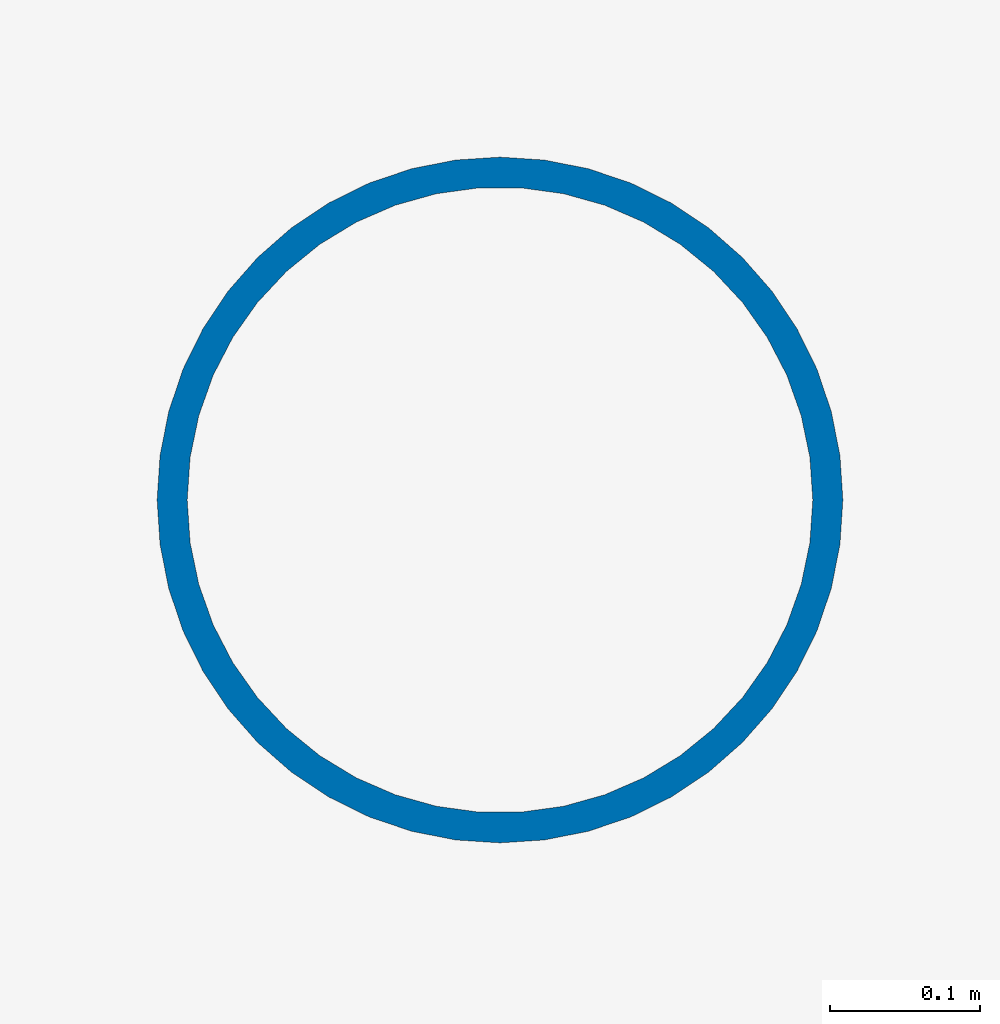
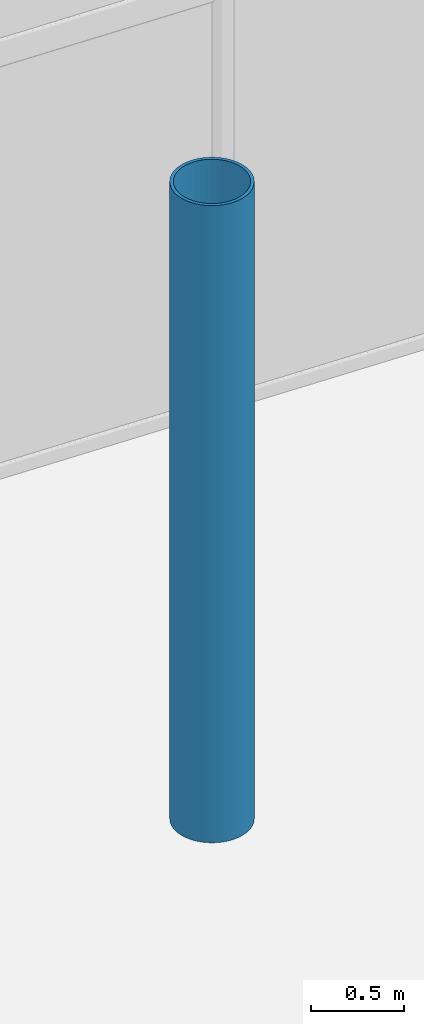
# One storey, part 10 of 109: 1 column.
"""IFC4 building model written with IfcOpenShell, lengths in metres."""

from ifc_helpers import new_model, si_unit, derived_unit, direction, frame, origin, origin_2d, place, context, subcontext, project, spatial, hollow_circle, extrude, material, material_profile, profile_set, type_object, element, save


model = new_model("IFC4")

# Units and contexts
model_context = context("Model", 3, precision=1e-05, world=origin(), true_north=direction((0.0, 1.0)))
body_context = subcontext(model_context, "Body", "Model", "MODEL_VIEW")
ifc_project = project(units=[si_unit("LENGTHUNIT", "METRE"), si_unit("AREAUNIT", "SQUARE_METRE"), si_unit("VOLUMEUNIT", "CUBIC_METRE"), si_unit("PLANEANGLEUNIT", "RADIAN"), si_unit("MASSUNIT", "GRAM", prefix="KILO"), derived_unit("THERMALTRANSMITTANCEUNIT", [(si_unit("MASSUNIT", "GRAM", prefix="KILO"), 1), (si_unit("TIMEUNIT", "SECOND"), -3), (si_unit("THERMODYNAMICTEMPERATUREUNIT", "KELVIN"), -1)])], contexts=[model_context])

# Site, building, storey
site_placement = place(None, origin())
site = spatial("IfcSite", under=ifc_project, at=site_placement, CompositionType="ELEMENT")
building_placement = place(site_placement, origin())
building = spatial("IfcBuilding", under=site, at=building_placement, Name="Kharveza Railside Sports Centre", CompositionType="ELEMENT")
storey_placement = place(building_placement, frame((0.0, 0.0, 4.5)))
storey = spatial("IfcBuildingStorey", under=building, at=storey_placement, Name="L01", CompositionType="ELEMENT", Elevation=4.5)

# Column
ifc_material = material(Name="Steel S355J2", Category="steel")
ifc_material_profile = material_profile(ifc_material, hollow_circle(Radius=0.228515625, WallThickness=0.02001953125, at=origin_2d()), Name="CHS 457.0x20.0")
ifc_profile_set = profile_set([ifc_material_profile], Name="Steel S355J2")
column_type = type_object("IfcColumnType", Name="COL-T01", PredefinedType="COLUMN", material=ifc_profile_set)
column_placement = place(storey_placement, frame((54.60009765625, 75.0, 0.0), z_axis=(0.0, 0.0, 1.0), x_axis=(1.0, 0.0, 0.0)))
element("IfcColumn", 1, at=column_placement, inside=storey, type_object=column_type, Name="COL-DRUM-05-L01", PredefinedType="COLUMN", context=body_context, shape_type="SweptSolid", body=[
    extrude(hollow_circle(Radius=0.228515625, WallThickness=0.02001953125, at=origin_2d()), origin(), (0.0, 0.0, 1.0), 4.199951171875),
])

save(model, "model.ifc")
